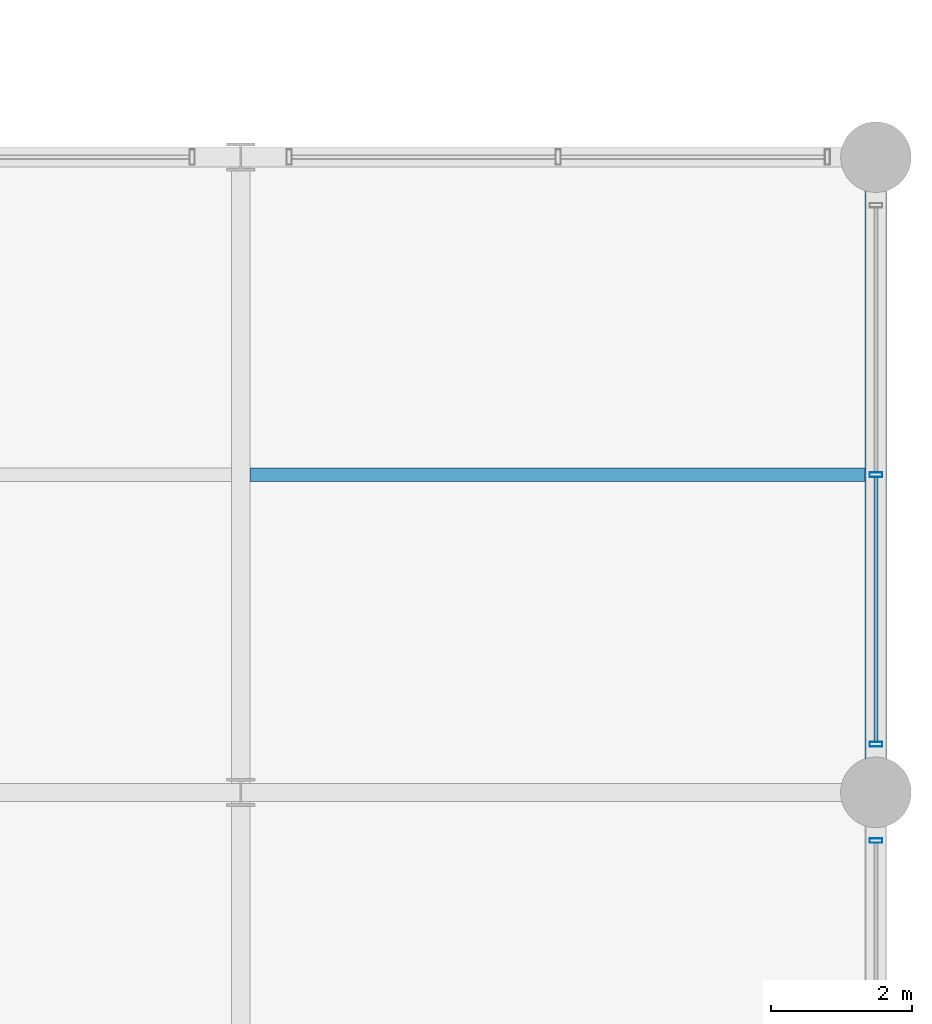
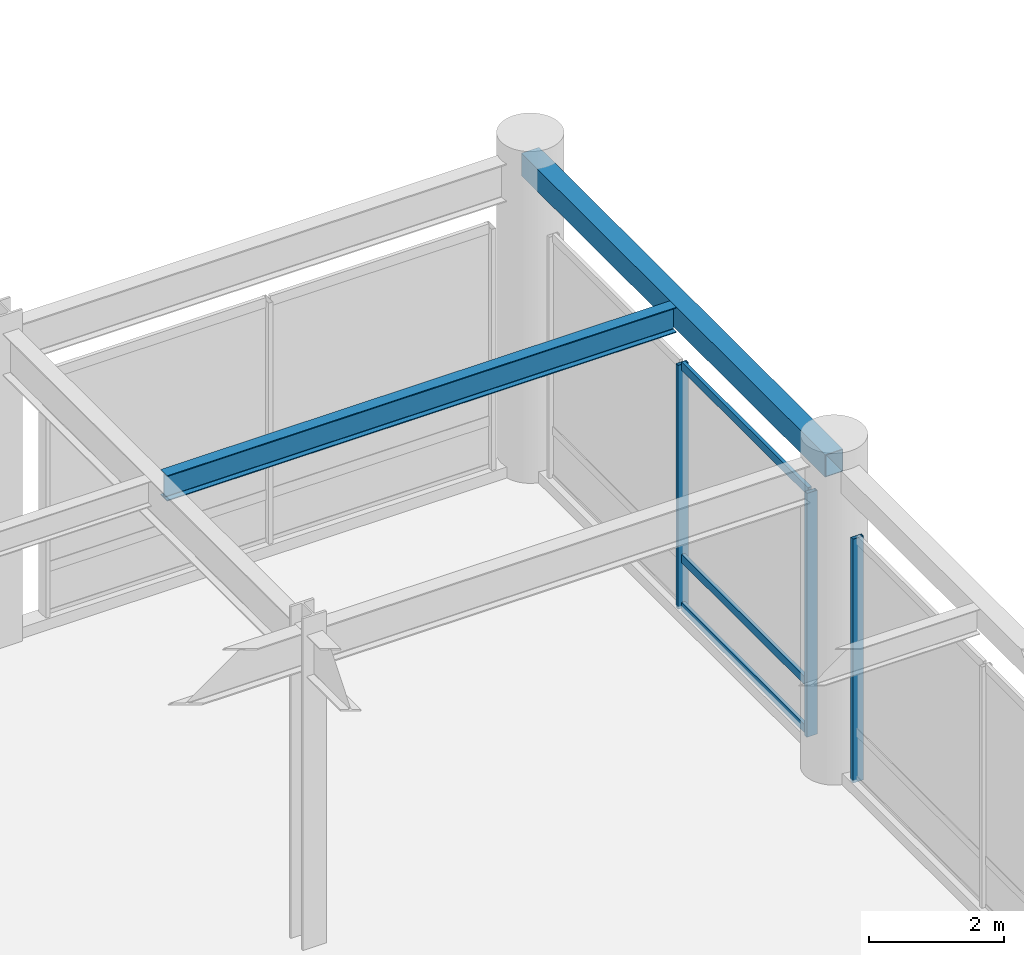
# One storey, part 45 of 105: 6 members, 2 beams, 2 elements without a shape of their own.
"""IFC4 building model written with IfcOpenShell, lengths in metres."""

from ifc_helpers import new_model, si_unit, direction, frame, origin, origin_2d, place, context, subcontext, project, spatial, hollow_rectangle, i_section, extrude, material, material_profile, profile_set, type_object, element, aggregate, save


model = new_model("IFC4")

# Units and contexts
model_context = context("Model", 3, precision=1e-05, world=origin(), true_north=direction((0.0, 1.0)))
body_context = subcontext(model_context, "Body", "Model", "MODEL_VIEW")
ifc_project = project(units=[si_unit("LENGTHUNIT", "METRE"), si_unit("AREAUNIT", "SQUARE_METRE"), si_unit("VOLUMEUNIT", "CUBIC_METRE"), si_unit("PLANEANGLEUNIT", "RADIAN"), si_unit("MASSUNIT", "GRAM", prefix="KILO")], contexts=[model_context])

# Site, building, storey
site_placement = place(None, origin())
site = spatial("IfcSite", under=ifc_project, at=site_placement, CompositionType="ELEMENT")
building_placement = place(site_placement, origin())
building = spatial("IfcBuilding", under=site, at=building_placement, Name="Kaldorvane Square Convention Centre", CompositionType="ELEMENT")
storey_placement = place(building_placement, frame((0.0, 0.0, 6.0)))
storey = spatial("IfcBuildingStorey", under=building, at=storey_placement, Name="L01", CompositionType="ELEMENT", Elevation=6.0)

# Beams
ifc_material_1 = material(Name="Steel ASTM A992 Gr. 50", Category="steel")
ifc_material_profile_1 = material_profile(ifc_material_1, i_section(OverallWidth=0.1912994384765625, OverallDepth=0.4600067138671875, WebThickness=0.0099029541015625, FlangeThickness=0.0160064697265625, FilletRadius=0.01019287109375, at=origin_2d()), Name="W18X55")
ifc_profile_set_1 = profile_set([ifc_material_profile_1], Name="Steel ASTM A992 Gr. 50")
beam_type_1 = type_object("IfcBeamType", Name="BM-JS-W18X55", PredefinedType="JOIST", material=ifc_profile_set_1)
beam_1_placement = place(storey_placement, frame((165.13330078125, 31.5, 5.4459991455078125), z_axis=(1.0, 0.0, 0.0), x_axis=(0.0, 1.0, 0.0)))
element("IfcBeam", 1, at=beam_1_placement, inside=storey, type_object=beam_type_1, Name="Secondary Floor Joist (L01)", PredefinedType="JOIST", context=body_context, shape_type="SweptSolid", body=[
    extrude(i_section(OverallWidth=0.1912994384765625, OverallDepth=0.4600067138671875, WebThickness=0.0099029541015625, FlangeThickness=0.0160064697265625, FilletRadius=0.01019287109375, at=origin_2d()), origin(), (0.0, 0.0, 1.0), 8.71429443359375),
])
ifc_material_2 = material(Name="Steel ASTM A500 Gr. C", Category="steel")
ifc_material_profile_2 = material_profile(ifc_material_2, hollow_rectangle(XDim=0.3047943115234375, YDim=0.406402587890625, WallThickness=0.0117950439453125, at=origin_2d()), Name="HSS16X12X1/2")
ifc_profile_set_2 = profile_set([ifc_material_profile_2], Name="Steel ASTM A500 Gr. C")
beam_type_2 = type_object("IfcBeamType", Name="BM-SP-HSS16", PredefinedType="SPANDREL", material=ifc_profile_set_2)
beam_2_placement = place(storey_placement, frame((174.0, 27.0, 5.4727935791015625), z_axis=(0.0, 1.0, 0.0), x_axis=(-1.0, 0.0, 0.0)))
element("IfcBeam", 2, at=beam_2_placement, inside=storey, type_object=beam_type_2, Name="End Spandrel (L01)", PredefinedType="SPANDREL", context=body_context, shape_type="SweptSolid", body=[
    extrude(hollow_rectangle(XDim=0.3047943115234375, YDim=0.406402587890625, WallThickness=0.0117950439453125, at=origin_2d()), origin(), (0.0, 0.0, 1.0), 9.0),
])

# Curtain wall, member
ifc_material_3 = material(Name="Anodized Aluminum and Low-E Insulated Glazing", Category="aluminium")
curtain_wall_type = type_object("IfcCurtainWallType", Name="CW-UNI-P60-09", PredefinedType="USERDEFINED", material=ifc_material_3)
curtain_wall_1_placement = place(storey_placement, origin())
curtain_wall_1 = element("IfcCurtainWall", 3, at=curtain_wall_1_placement, inside=storey, type_object=curtain_wall_type, Name="Curtain Wall CW-02 (L01)", ObjectType="UNITISED GLAZING", PredefinedType="USERDEFINED")
ifc_material_profile_3 = material_profile(ifc_material_3, hollow_rectangle(XDim=0.06500244140625, YDim=0.17999267578125, WallThickness=0.0034942626953125, at=origin_2d()), Name="CWM-180X65")
ifc_profile_set_3 = profile_set([ifc_material_profile_3], Name="Anodized Aluminum and Low-E Insulated Glazing")
member_type_1 = type_object("IfcMemberType", Name="CW-MUL-180", PredefinedType="MULLION", material=ifc_profile_set_3)
member_1_placement = place(storey_placement, frame((174.0, 26.3175048828125, 0.149993896484375), z_axis=(0.0, 0.0, 1.0), x_axis=(0.0, 1.0, 0.0)))
member_1 = element("IfcMember", 4, at=member_1_placement, type_object=member_type_1, Name="CW-02 mullion 3", PredefinedType="MULLION", context=body_context, shape_type="SweptSolid", body=[
    extrude(hollow_rectangle(XDim=0.06500244140625, YDim=0.17999267578125, WallThickness=0.0034942626953125, at=origin_2d()), origin(), (0.0, 0.0, 1.0), 4.410003662109375),
])
aggregate(curtain_wall_1, [member_1])

# Curtain wall, members
curtain_wall_2_placement = place(storey_placement, origin())
curtain_wall_2 = element("IfcCurtainWall", 5, at=curtain_wall_2_placement, inside=storey, type_object=curtain_wall_type, Name="Curtain Wall CW-02 (L01)", ObjectType="UNITISED GLAZING", PredefinedType="USERDEFINED")
member_2_placement = place(storey_placement, frame((174.0, 27.6824951171875, 0.149993896484375), z_axis=(0.0, 0.0, 1.0), x_axis=(0.0, 1.0, 0.0)))
member_2 = element("IfcMember", 6, at=member_2_placement, type_object=member_type_1, Name="CW-02 mullion 1", PredefinedType="MULLION", context=body_context, shape_type="SweptSolid", body=[
    extrude(hollow_rectangle(XDim=0.06500244140625, YDim=0.17999267578125, WallThickness=0.0034942626953125, at=origin_2d()), origin(), (0.0, 0.0, 1.0), 4.410003662109375),
])
member_3_placement = place(storey_placement, frame((174.0, 31.5, 0.149993896484375), z_axis=(0.0, 0.0, 1.0), x_axis=(0.0, 1.0, 0.0)))
member_3 = element("IfcMember", 7, at=member_3_placement, type_object=member_type_1, Name="CW-02 mullion 2", PredefinedType="MULLION", context=body_context, shape_type="SweptSolid", body=[
    extrude(hollow_rectangle(XDim=0.06500244140625, YDim=0.17999267578125, WallThickness=0.0034942626953125, at=origin_2d()), origin(), (0.0, 0.0, 1.0), 4.410003662109375),
])
ifc_material_profile_4 = material_profile(ifc_material_3, hollow_rectangle(XDim=0.05999755859375, YDim=0.149993896484375, WallThickness=0.003204345703125, at=origin_2d()), Name="CWT-150X60")
ifc_profile_set_4 = profile_set([ifc_material_profile_4], Name="Anodized Aluminum and Low-E Insulated Glazing")
member_type_2 = type_object("IfcMemberType", Name="CW-TRN-150", PredefinedType="USERDEFINED", material=ifc_profile_set_4)
member_4_placement = place(storey_placement, frame((174.0, 27.714996337890625, 0.17999267578125), z_axis=(0.0, 1.0, 0.0), x_axis=(-1.0, 0.0, 0.0)))
member_4 = element("IfcMember", 8, at=member_4_placement, type_object=member_type_2, Name="CW-02 transom 1.1", ObjectType="TRANSOM", PredefinedType="USERDEFINED", context=body_context, shape_type="SweptSolid", body=[
    extrude(hollow_rectangle(XDim=0.05999755859375, YDim=0.149993896484375, WallThickness=0.003204345703125, at=origin_2d()), origin(), (0.0, 0.0, 1.0), 3.75250244140625),
])
member_5_placement = place(storey_placement, frame((174.0, 27.714996337890625, 1.0500030517578125), z_axis=(0.0, 1.0, 0.0), x_axis=(-1.0, 0.0, 0.0)))
member_5 = element("IfcMember", 9, at=member_5_placement, type_object=member_type_2, Name="CW-02 transom 1.2", ObjectType="TRANSOM", PredefinedType="USERDEFINED", context=body_context, shape_type="SweptSolid", body=[
    extrude(hollow_rectangle(XDim=0.05999755859375, YDim=0.149993896484375, WallThickness=0.003204345703125, at=origin_2d()), origin(), (0.0, 0.0, 1.0), 3.75250244140625),
])
member_6_placement = place(storey_placement, frame((174.0, 27.714996337890625, 4.529998779296875), z_axis=(0.0, 1.0, 0.0), x_axis=(-1.0, 0.0, 0.0)))
member_6 = element("IfcMember", 10, at=member_6_placement, type_object=member_type_2, Name="CW-02 transom 1.3", ObjectType="TRANSOM", PredefinedType="USERDEFINED", context=body_context, shape_type="SweptSolid", body=[
    extrude(hollow_rectangle(XDim=0.05999755859375, YDim=0.149993896484375, WallThickness=0.003204345703125, at=origin_2d()), origin(), (0.0, 0.0, 1.0), 3.75250244140625),
])
aggregate(curtain_wall_2, [member_2, member_3, member_4, member_5, member_6])

save(model, "model.ifc")
